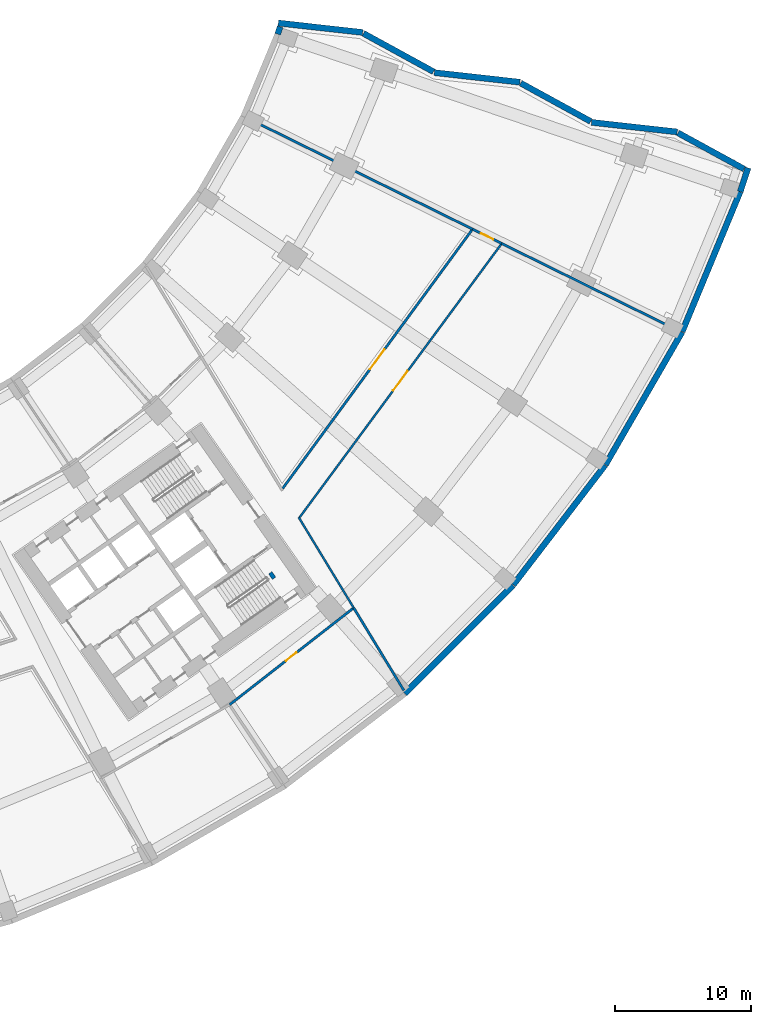
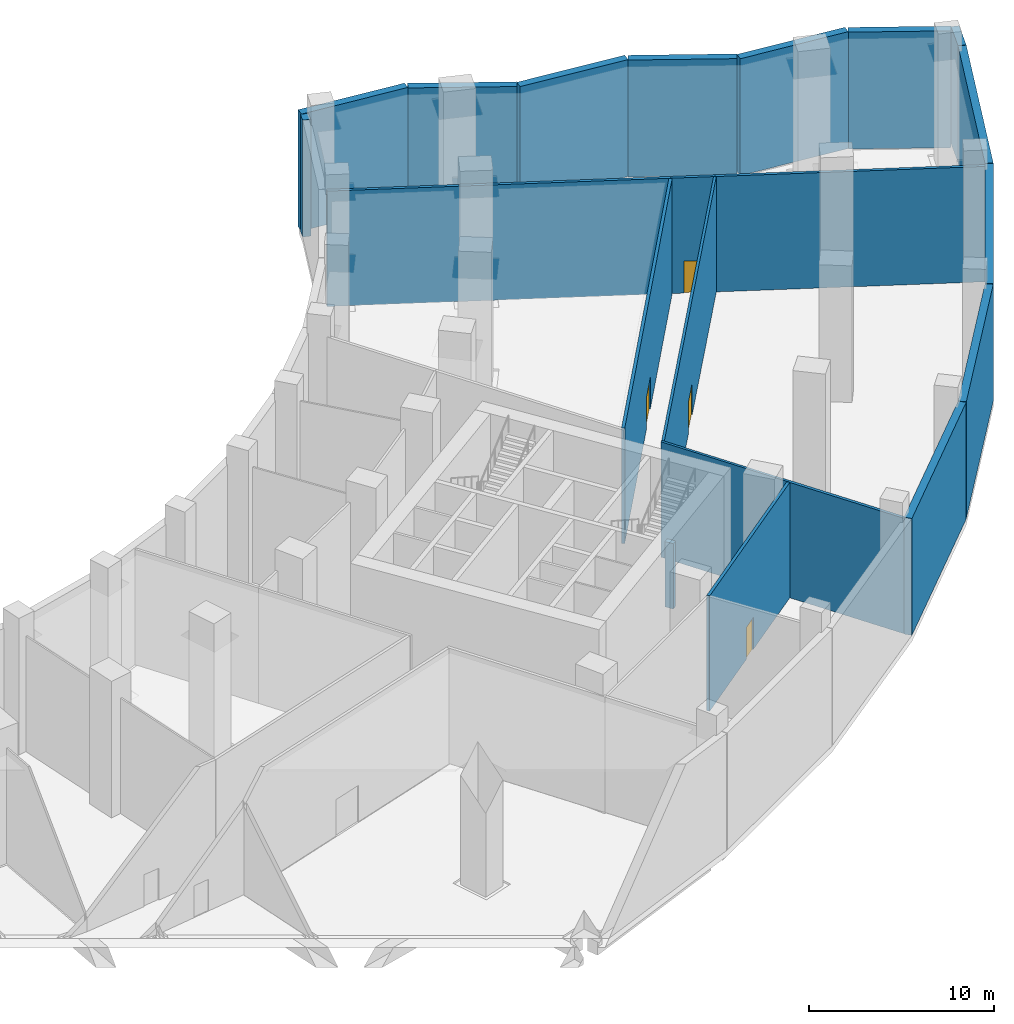
# One storey, part 11 of 19: 21 walls, 4 doors, 4 openings.
"""IFC4 building model written with IfcOpenShell, lengths in metres."""

from ifc_helpers import new_model, si_unit, direction, frame, frame_2d, origin, place, context, subcontext, project, spatial, rectangle, extrude, material, layer, layer_set, type_object, element, fill, save


model = new_model("IFC4")

# Units and contexts
model_context = context("Model", 3, precision=1e-05, world=origin(), true_north=direction((0.0, 1.0)))
body_context = subcontext(model_context, "Body", "Model", "MODEL_VIEW")
ifc_project = project(units=[si_unit("LENGTHUNIT", "METRE"), si_unit("AREAUNIT", "SQUARE_METRE"), si_unit("VOLUMEUNIT", "CUBIC_METRE"), si_unit("PLANEANGLEUNIT", "RADIAN"), si_unit("MASSUNIT", "GRAM", prefix="KILO")], contexts=[model_context])

# Site, building, storey
site_placement = place(None, origin())
site = spatial("IfcSite", under=ifc_project, at=site_placement, CompositionType="ELEMENT")
building_placement = place(site_placement, origin())
building = spatial("IfcBuilding", under=site, at=building_placement, Name="Qamariyya Broadcast Tower", CompositionType="ELEMENT")
storey_placement = place(building_placement, frame((0.0, 0.0, 9.0)))
storey = spatial("IfcBuildingStorey", under=building, at=storey_placement, Name="L01", CompositionType="ELEMENT", Elevation=9.0)

# Wall
ifc_material_1 = material(Name="Gypsum board partition")
ifc_layer_1 = layer(ifc_material_1, 0.14990234375)
ifc_layer_set_1 = layer_set([ifc_layer_1], Name="Corridor partition 150 EI 60")
wall_type_1 = type_object("IfcWallType", Name="Corridor partition 150 EI 60", PredefinedType="PARTITIONING", material=ifc_layer_set_1)
wall_1_placement = place(storey_placement, frame((48.870361328125, -51.678955078125, 0.0), z_axis=(0.0, 0.0, 1.0), x_axis=(0.519169312849, -0.854671413232, 0.0)))
element("IfcWall", 1, at=wall_1_placement, inside=storey, type_object=wall_type_1, Name="Partition L01-057", PredefinedType="PARTITIONING", context=body_context, shape_type="SweptSolid", body=[
    extrude(rectangle(XDim=7.83056640625, YDim=0.14990234375, at=frame_2d((3.915283203125, 0.0))), origin(), (0.0, 0.0, 1.0), 7.60009765625),
])

# Wall, opening, door
wall_2_placement = place(storey_placement, frame((63.803955078125, -31.5634765625, 0.0), z_axis=(0.0, 0.0, 1.0), x_axis=(-0.593865237906, -0.804564527683, 0.0)))
wall_2 = element("IfcWall", 2, at=wall_2_placement, inside=storey, type_object=wall_type_1, Name="Partition L01-058", PredefinedType="PARTITIONING", context=body_context, shape_type="SweptSolid", body=[
    extrude(rectangle(XDim=25.00634765625, YDim=0.14990234375, at=frame_2d((12.503173828125, 0.0))), origin(), (0.0, 0.0, 1.0), 7.60009765625),
])
opening_1_placement = place(wall_2_placement, frame((11.60302734375, 0.0, 0.0)))
opening_1 = element("IfcOpeningElement", 3, at=opening_1_placement, cuts=wall_2, Name="Opening L01-D26", PredefinedType="OPENING", context=body_context, shape_type="SweptSolid", body=[
    extrude(rectangle(XDim=1.800048828125, YDim=2.10009765625, at=frame_2d((0.89990234375, 1.050048828125))), frame((0.0, 0.0849609375, 0.0), z_axis=(0.0, -1.0, 0.0), x_axis=(1.0, 0.0, 0.0)), (0.0, 0.0, 1.0), 0.169921875),
])
ifc_material_2 = material(Name="Timber fire door leaf", Category="wood")
door_type_1 = type_object("IfcDoorType", Name="Double fire door 1800 x 2100 FD60", OperationType="NOTDEFINED", PredefinedType="DOOR", material=ifc_material_2)
door_1_placement = place(opening_1_placement, origin())
door_1 = element("IfcDoor", 4, at=door_1_placement, inside=storey, type_object=door_type_1, Name="Door L01-D26", OperationType="DOUBLE_DOOR_SINGLE_SWING", OverallHeight=2.10009765625, OverallWidth=1.800048828125, PredefinedType="DOOR", context=body_context, shape_type="SweptSolid", body=[
    extrude(rectangle(XDim=1.800048828125, YDim=2.10009765625, at=frame_2d((0.89990234375, 1.050048828125))), frame((0.0, 0.02490234375, 0.0), z_axis=(0.0, -1.0, 0.0), x_axis=(1.0, 0.0, 0.0)), (0.0, 0.0, 1.0), 0.050048828125),
])
fill(opening_1, door_1)

# Walls
ifc_material_3 = material(Name="Concrete C60/75", Category="concrete")
ifc_layer_2 = layer(ifc_material_3, 0.300048828125)
ifc_layer_set_2 = layer_set([ifc_layer_2], Name="Lift shaft wall 300 mm Concrete C60/75")
wall_type_2 = type_object("IfcWallType", Name="Lift shaft wall 300 mm Concrete C60/75", PredefinedType="SOLIDWALL", material=ifc_layer_set_2)
wall_3_placement = place(storey_placement, frame((46.77783203125, -55.782470703125, 0.0), z_axis=(0.0, 0.0, 1.0), x_axis=(0.573822822947, -0.818979467304, 0.0)))
element("IfcWall", 5, at=wall_3_placement, inside=storey, type_object=wall_type_2, Name="k-E-L01-E1PR", PredefinedType="SOLIDWALL", context=body_context, shape_type="SweptSolid", body=[
    extrude(rectangle(XDim=0.5, YDim=0.300048828125, at=frame_2d((0.25, 0.0))), origin(), (0.0, 0.0, 1.0), 4.300048828125),
])
ifc_material_4 = material(Name="Precast concrete C40/50 with terracotta facing", Category="masonry")
ifc_layer_3 = layer(ifc_material_4, 0.449951171875)
ifc_layer_set_3 = layer_set([ifc_layer_3], Name="Precast concrete C40/50 wall 450, terracotta faced")
wall_type_3 = type_object("IfcWallType", Name="Precast concrete C40/50 wall 450, terracotta faced", PredefinedType="SOLIDWALL", material=ifc_layer_set_3)
wall_4_placement = place(storey_placement, frame((81.734130859375, -25.98974609375, 0.0), z_axis=(0.0, 0.0, 1.0), x_axis=(-0.877209140108, 0.480108450781, 0.0)))
element("IfcWall", 6, at=wall_4_placement, inside=storey, type_object=wall_type_3, Name="e-wl-L01-capE0", PredefinedType="SOLIDWALL", context=body_context, shape_type="SweptSolid", body=[
    extrude(rectangle(XDim=5.552978515625, YDim=0.449951171875, at=frame_2d((2.7763671875, 0.0))), origin(), (0.0, 0.0, 1.0), 7.699951171875),
])
wall_5_placement = place(storey_placement, frame((76.803955078125, -23.254638671875, 0.0), z_axis=(0.0, 0.0, 1.0), x_axis=(-0.993813805196, 0.111059086081, 0.0)))
element("IfcWall", 7, at=wall_5_placement, inside=storey, type_object=wall_type_3, Name="e-wl-L01-capE1", PredefinedType="SOLIDWALL", context=body_context, shape_type="SweptSolid", body=[
    extrude(rectangle(XDim=6.36181640625, YDim=0.449951171875, at=frame_2d((3.180908203125, 0.0))), origin(), (0.0, 0.0, 1.0), 7.699951171875),
])
wall_6_placement = place(storey_placement, frame((70.42236328125, -22.47900390625, 0.0), z_axis=(0.0, 0.0, 1.0), x_axis=(-0.877230259454, 0.480069861477, 0.0)))
element("IfcWall", 8, at=wall_6_placement, inside=storey, type_object=wall_type_3, Name="e-wl-L01-capE2", PredefinedType="SOLIDWALL", context=body_context, shape_type="SweptSolid", body=[
    extrude(rectangle(XDim=5.883544921875, YDim=0.449951171875, at=frame_2d((2.94189453125, 0.0))), origin(), (0.0, 0.0, 1.0), 7.699951171875),
])
wall_7_placement = place(storey_placement, frame((65.201904296875, -19.58544921875, 0.0), z_axis=(0.0, 0.0, 1.0), x_axis=(-0.993818963433, 0.111012917816, 0.0)))
element("IfcWall", 9, at=wall_7_placement, inside=storey, type_object=wall_type_3, Name="e-wl-L01-capE3", PredefinedType="SOLIDWALL", context=body_context, shape_type="SweptSolid", body=[
    extrude(rectangle(XDim=6.360107421875, YDim=0.449951171875, at=frame_2d((3.18017578125, 0.0))), origin(), (0.0, 0.0, 1.0), 7.699951171875),
])
wall_8_placement = place(storey_placement, frame((58.822021484375, -18.810302734375, 0.0), z_axis=(0.0, 0.0, 1.0), x_axis=(-0.87728135657, 0.479976480064, 0.0)))
element("IfcWall", 10, at=wall_8_placement, inside=storey, type_object=wall_type_3, Name="e-wl-L01-capE4", PredefinedType="SOLIDWALL", context=body_context, shape_type="SweptSolid", body=[
    extrude(rectangle(XDim=5.885498046875, YDim=0.449951171875, at=frame_2d((2.94287109375, 0.0))), origin(), (0.0, 0.0, 1.0), 7.699951171875),
])
wall_9_placement = place(storey_placement, frame((53.599365234375, -15.916015625, 0.0), z_axis=(0.0, 0.0, 1.0), x_axis=(-0.993827533543, 0.110936168908, 0.0)))
element("IfcWall", 11, at=wall_9_placement, inside=storey, type_object=wall_type_3, Name="e-wl-L01-capE5", PredefinedType="SOLIDWALL", context=body_context, shape_type="SweptSolid", body=[
    extrude(rectangle(XDim=6.265380859375, YDim=0.449951171875, at=frame_2d((3.1328125, 0.0))), origin(), (0.0, 0.0, 1.0), 7.699951171875),
])
wall_10_placement = place(storey_placement, frame((47.508544921875, -15.497314453125, 0.0), z_axis=(0.0, 0.0, 1.0), x_axis=(-0.311474670585, -0.950254455177, 0.0)))
element("IfcWall", 12, at=wall_10_placement, inside=storey, type_object=wall_type_3, Name="e-wl-L01-in200", PredefinedType="SOLIDWALL", context=body_context, shape_type="SweptSolid", body=[
    extrude(rectangle(XDim=0.570556640625, YDim=0.449951171875, at=frame_2d((0.28515625, 0.0))), origin(), (0.0, 0.0, 1.0), 7.699951171875),
])
wall_11_placement = place(storey_placement, frame((56.69873046875, -64.69775390625, 0.0), z_axis=(0.0, 0.0, 1.0), x_axis=(0.707106781187, 0.707106781187, 0.0)))
element("IfcWall", 13, at=wall_11_placement, inside=storey, type_object=wall_type_3, Name="e-wl-L01-out160", PredefinedType="SOLIDWALL", context=body_context, shape_type="SweptSolid", body=[
    extrude(rectangle(XDim=11.312255859375, YDim=0.449951171875, at=frame_2d((5.65625, 0.0))), origin(), (0.0, 0.0, 1.0), 7.699951171875),
])
wall_12_placement = place(storey_placement, frame((64.712646484375, -56.673095703125, 0.0), z_axis=(0.0, 0.0, 1.0), x_axis=(0.608758773695, 0.793355377778, 0.0)))
element("IfcWall", 14, at=wall_12_placement, inside=storey, type_object=wall_type_3, Name="e-wl-L01-out170", PredefinedType="SOLIDWALL", context=body_context, shape_type="SweptSolid", body=[
    extrude(rectangle(XDim=11.134765625, YDim=0.449951171875, at=frame_2d((5.5673828125, 0.0))), origin(), (0.0, 0.0, 1.0), 7.699951171875),
])
wall_13_placement = place(storey_placement, frame((71.51171875, -47.818603515625, 0.0), z_axis=(0.0, 0.0, 1.0), x_axis=(0.500001430823, 0.866024577697, 0.0)))
element("IfcWall", 15, at=wall_13_placement, inside=storey, type_object=wall_type_3, Name="e-wl-L01-out180", PredefinedType="SOLIDWALL", context=body_context, shape_type="SweptSolid", body=[
    extrude(rectangle(XDim=11.3125, YDim=0.449951171875, at=frame_2d((5.65625, 0.0))), origin(), (0.0, 0.0, 1.0), 7.699951171875),
])
wall_14_placement = place(storey_placement, frame((77.175537109375, -37.9931640625, 0.0), z_axis=(0.0, 0.0, 1.0), x_axis=(0.382700611107, 0.923872416656, 0.0)))
element("IfcWall", 16, at=wall_14_placement, inside=storey, type_object=wall_type_3, Name="e-wl-L01-out190", PredefinedType="SOLIDWALL", context=body_context, shape_type="SweptSolid", body=[
    extrude(rectangle(XDim=11.167724609375, YDim=0.449951171875, at=frame_2d((5.583984375, 0.0))), origin(), (0.0, 0.0, 1.0), 7.699951171875),
])
wall_15_placement = place(storey_placement, frame((81.456787109375, -27.66015625, 0.0), z_axis=(0.0, 0.0, 1.0), x_axis=(0.311621150825, 0.95020642934, 0.0)))
element("IfcWall", 17, at=wall_15_placement, inside=storey, type_object=wall_type_3, Name="e-wl-L01-out200", PredefinedType="SOLIDWALL", context=body_context, shape_type="SweptSolid", body=[
    extrude(rectangle(XDim=1.845703125, YDim=0.449951171875, at=frame_2d((0.9228515625, 0.0))), origin(), (0.0, 0.0, 1.0), 7.699951171875),
])

# Wall, opening, door
ifc_layer_4 = layer(ifc_material_1, 0.179931640625)
ifc_layer_set_4 = layer_set([ifc_layer_4], Name="Studio acoustic partition 180 EI 60")
wall_type_4 = type_object("IfcWallType", Name="Studio acoustic partition 180 EI 60", PredefinedType="PARTITIONING", material=ifc_layer_set_4)
wall_16_placement = place(storey_placement, frame((52.86474609375, -58.427001953125, 0.0), z_axis=(0.0, 0.0, 1.0), x_axis=(-0.788252635542, -0.615351755146, 0.0)))
wall_16 = element("IfcWall", 18, at=wall_16_placement, inside=storey, type_object=wall_type_4, Name="Partition L01-054", PredefinedType="PARTITIONING", context=body_context, shape_type="SweptSolid", body=[
    extrude(rectangle(XDim=11.5263671875, YDim=0.179931640625, at=frame_2d((5.76318359375, 0.0))), origin(), (0.0, 0.0, 1.0), 7.60009765625),
])
opening_2_placement = place(wall_16_placement, frame((5.26318359375, 0.0, 0.0)))
opening_2 = element("IfcOpeningElement", 19, at=opening_2_placement, cuts=wall_16, Name="Opening L01-D24", PredefinedType="OPENING", context=body_context, shape_type="SweptSolid", body=[
    extrude(rectangle(XDim=1.0, YDim=2.10009765625, at=frame_2d((0.5, 1.050048828125))), frame((0.0, 0.099853515625, 0.0), z_axis=(0.0, -1.0, 0.0), x_axis=(1.0, 0.0, 0.0)), (0.0, 0.0, 1.0), 0.199951171875),
])
door_type_2 = type_object("IfcDoorType", Name="Fire door 1000 x 2100 FD60", OperationType="NOTDEFINED", PredefinedType="DOOR", material=ifc_material_2)
door_2_placement = place(opening_2_placement, origin())
door_2 = element("IfcDoor", 20, at=door_2_placement, inside=storey, type_object=door_type_2, Name="Door L01-D24", OperationType="SINGLE_SWING_RIGHT", OverallHeight=2.10009765625, OverallWidth=1.0, PredefinedType="DOOR", context=body_context, shape_type="SweptSolid", body=[
    extrude(rectangle(XDim=1.0, YDim=2.10009765625, at=frame_2d((0.5, 1.050048828125))), frame((0.0, 0.02490234375, 0.0), z_axis=(0.0, -1.0, 0.0), x_axis=(1.0, 0.0, 0.0)), (0.0, 0.0, 1.0), 0.050048828125),
])
fill(opening_2, door_2)

wall_17_placement = place(storey_placement, frame((47.68701171875, -49.57080078125, 0.0), z_axis=(0.0, 0.0, 1.0), x_axis=(0.590834674168, 0.806792654776, 0.0)))
wall_17 = element("IfcWall", 21, at=wall_17_placement, inside=storey, type_object=wall_type_4, Name="Partition L01-055", PredefinedType="PARTITIONING", context=body_context, shape_type="SweptSolid", body=[
    extrude(rectangle(XDim=23.63525390625, YDim=0.179931640625, at=frame_2d((11.817626953125, 0.0))), origin(), (0.0, 0.0, 1.0), 7.60009765625),
])
opening_3_placement = place(wall_17_placement, frame((10.917724609375, 0.0, 0.0)))
opening_3 = element("IfcOpeningElement", 22, at=opening_3_placement, cuts=wall_17, Name="Opening L01-D25", PredefinedType="OPENING", context=body_context, shape_type="SweptSolid", body=[
    extrude(rectangle(XDim=1.800048828125, YDim=2.10009765625, at=frame_2d((0.89990234375, 1.050048828125))), frame((0.0, 0.099853515625, 0.0), z_axis=(0.0, -1.0, 0.0), x_axis=(1.0, 0.0, 0.0)), (0.0, 0.0, 1.0), 0.199951171875),
])
door_3_placement = place(opening_3_placement, origin())
door_3 = element("IfcDoor", 23, at=door_3_placement, inside=storey, type_object=door_type_1, Name="Door L01-D25", OperationType="DOUBLE_DOOR_SINGLE_SWING", OverallHeight=2.10009765625, OverallWidth=1.800048828125, PredefinedType="DOOR", context=body_context, shape_type="SweptSolid", body=[
    extrude(rectangle(XDim=1.800048828125, YDim=2.10009765625, at=frame_2d((0.89990234375, 1.050048828125))), frame((0.0, 0.02490234375, 0.0), z_axis=(0.0, -1.0, 0.0), x_axis=(1.0, 0.0, 0.0)), (0.0, 0.0, 1.0), 0.050048828125),
])
fill(opening_3, door_3)

# Walls
wall_18_placement = place(storey_placement, frame((52.935791015625, -58.37158203125, 0.0), z_axis=(0.0, 0.0, 1.0), x_axis=(0.519148894699, -0.854683815883, 0.0)))
element("IfcWall", 24, at=wall_18_placement, inside=storey, type_object=wall_type_4, Name="Partition L01-059", PredefinedType="PARTITIONING", context=body_context, shape_type="SweptSolid", body=[
    extrude(rectangle(XDim=7.12548828125, YDim=0.179931640625, at=frame_2d((3.562744140625, 0.0))), origin(), (0.0, 0.0, 1.0), 7.60009765625),
])
wall_19_placement = place(storey_placement, frame((61.704833984375, -30.429443359375, 0.0), z_axis=(0.0, 0.0, 1.0), x_axis=(-0.896873438268, 0.442287277377, 0.0)))
element("IfcWall", 25, at=wall_19_placement, inside=storey, type_object=wall_type_4, Name="Partition L01-060", PredefinedType="PARTITIONING", context=body_context, shape_type="SweptSolid", body=[
    extrude(rectangle(XDim=18.60009765625, YDim=0.179931640625, at=frame_2d((9.300048828125, 0.0))), origin(), (0.0, 0.0, 1.0), 7.60009765625),
])

# Wall, opening, door
wall_20_placement = place(storey_placement, frame((61.704833984375, -30.429443359375, 0.0), z_axis=(0.0, 0.0, 1.0), x_axis=(0.896875292523, -0.442283517284, 0.0)))
wall_20 = element("IfcWall", 26, at=wall_20_placement, inside=storey, type_object=wall_type_4, Name="Partition L01-061", PredefinedType="PARTITIONING", context=body_context, shape_type="SweptSolid", body=[
    extrude(rectangle(XDim=2.400146484375, YDim=0.179931640625, at=frame_2d((1.2001953125, 0.0))), origin(), (0.0, 0.0, 1.0), 7.60009765625),
])
opening_4_placement = place(wall_20_placement, frame((0.699951171875, 0.0, 0.0)))
opening_4 = element("IfcOpeningElement", 27, at=opening_4_placement, cuts=wall_20, Name="Opening L01-D27", PredefinedType="OPENING", context=body_context, shape_type="SweptSolid", body=[
    extrude(rectangle(XDim=1.0, YDim=2.10009765625, at=frame_2d((0.5, 1.050048828125))), frame((0.0, 0.099853515625, 0.0), z_axis=(0.0, -1.0, 0.0), x_axis=(1.0, 0.0, 0.0)), (0.0, 0.0, 1.0), 0.199951171875),
])
door_4_placement = place(opening_4_placement, origin())
door_4 = element("IfcDoor", 28, at=door_4_placement, inside=storey, type_object=door_type_2, Name="Door L01-D27", OperationType="SINGLE_SWING_RIGHT", OverallHeight=2.10009765625, OverallWidth=1.0, PredefinedType="DOOR", context=body_context, shape_type="SweptSolid", body=[
    extrude(rectangle(XDim=1.0, YDim=2.10009765625, at=frame_2d((0.5, 1.050048828125))), frame((0.0, 0.02490234375, 0.0), z_axis=(0.0, -1.0, 0.0), x_axis=(1.0, 0.0, 0.0)), (0.0, 0.0, 1.0), 0.050048828125),
])
fill(opening_4, door_4)

# Wall
wall_21_placement = place(storey_placement, frame((76.95166015625, -37.948486328125, 0.0), z_axis=(0.0, 0.0, 1.0), x_axis=(-0.896868508028, 0.442297274813, 0.0)))
element("IfcWall", 29, at=wall_21_placement, inside=storey, type_object=wall_type_4, Name="Partition L01-062", PredefinedType="PARTITIONING", context=body_context, shape_type="SweptSolid", body=[
    extrude(rectangle(XDim=14.599853515625, YDim=0.179931640625, at=frame_2d((7.2998046875, 0.0))), origin(), (0.0, 0.0, 1.0), 7.60009765625),
])

save(model, "model.ifc")
